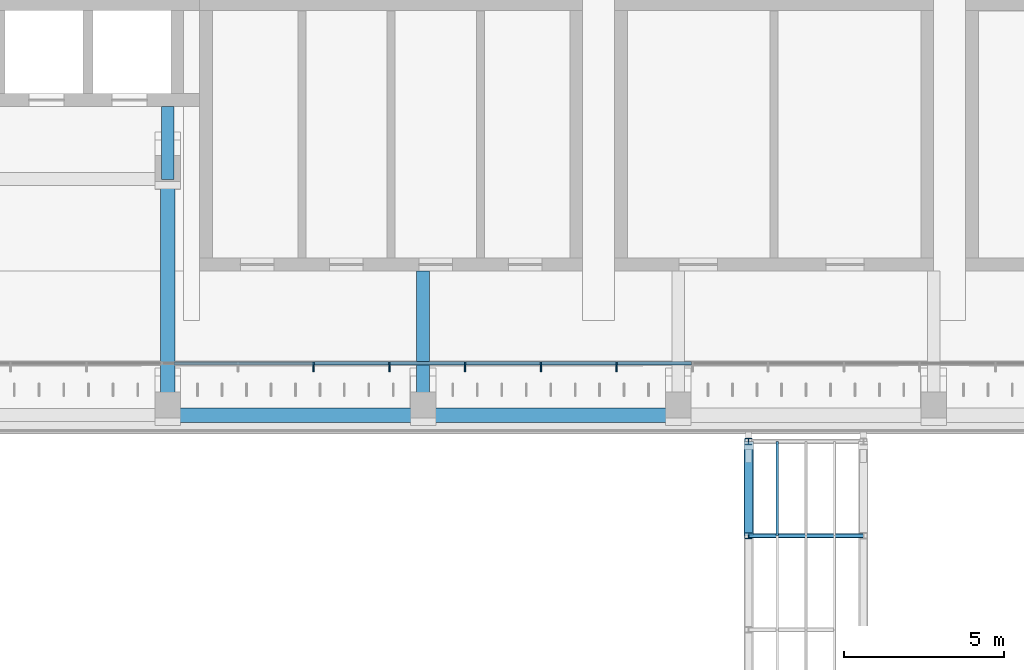
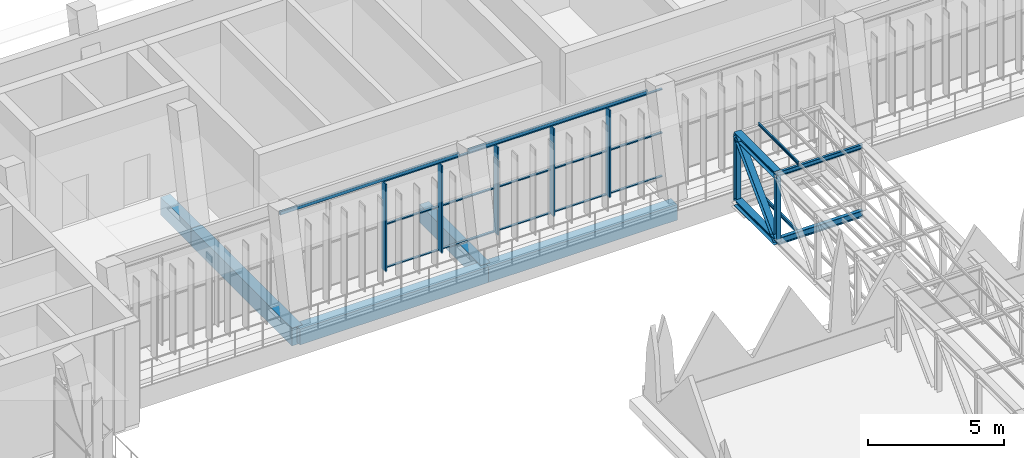
# One storey, part 72 of 141: 27 members, 9 beams, 1 element without a shape of its own.
"""IFC4 building model written with IfcOpenShell, lengths in metres."""

import ifcopenshell
import ifcopenshell.guid

model = None  # the IFC model being written
_history = None  # IfcOwnerHistory: only IFC2X3 demands one
_inside = {}  # id of a spatial element -> (the spatial element, [elements in it])
_under = {}  # id of a project, library or spatial element -> (it, [spatial elements below it])
_declared = {}  # id of a project -> (the project, [libraries it declares])
_typed = {}  # id of a type object -> (the type object, [elements of that type])
_made_of = {}  # id of a material, layer set ... -> (it, [elements and type objects made of it])


def new_model(schema):
    """Start an empty IFC model of exactly this schema.

    Asked for "IFC4X3", IfcOpenShell would pick the latest addendum, in which some entities
    have other attributes; the version numbers below select the first issue.
    IFC2X3 requires an IfcOwnerHistory on every rooted entity: one is made here for all.
    """
    global model, _history
    if schema == "IFC4X3":
        model = ifcopenshell.file(schema_version=(4, 3, 0, 0))
    else:
        model = ifcopenshell.file(schema=schema)
    _inside.clear()
    _under.clear()
    _declared.clear()
    _typed.clear()
    _made_of.clear()
    _history = None
    if model.schema == "IFC2X3":
        org = make("IfcOrganization", Name="unknown")
        user = make(
            "IfcPersonAndOrganization",
            ThePerson=make("IfcPerson", FamilyName="unknown"),
            TheOrganization=org,
        )
        app = make(
            "IfcApplication",
            ApplicationDeveloper=org,
            Version="unknown",
            ApplicationFullName="unknown",
            ApplicationIdentifier="unknown",
        )
        _history = make(
            "IfcOwnerHistory",
            OwningUser=user,
            OwningApplication=app,
            ChangeAction="ADDED",
            CreationDate=0,
        )
    return model


def make(cls, **values):
    """One entity of the class cls with the attributes given. An attribute that is None is left unset."""
    return model.create_entity(
        cls, **{name: value for name, value in values.items() if value is not None}
    )


def rooted(cls, **values):
    """An entity with a GlobalId (a new one), such as an element, a storey or a relation."""
    return make(cls, GlobalId=ifcopenshell.guid.new(), OwnerHistory=_history, **values)


def si_unit(unit_type, name, prefix=None):
    """IfcSIUnit, for example si_unit("LENGTHUNIT", "METRE", prefix="MILLI")."""
    return make("IfcSIUnit", UnitType=unit_type, Prefix=prefix, Name=name)


def assignment(units):
    """IfcUnitAssignment: the units of a project."""
    return None if units is None else make("IfcUnitAssignment", Units=units)


def point(xyz):
    """IfcCartesianPoint."""
    return None if xyz is None else make("IfcCartesianPoint", Coordinates=xyz)


def direction(xyz):
    """IfcDirection."""
    return None if xyz is None else make("IfcDirection", DirectionRatios=xyz)


def frame(location, z_axis=None, x_axis=None):
    """IfcAxis2Placement3D, a coordinate frame: its origin and axes. An axis left out is left unset."""
    return make(
        "IfcAxis2Placement3D",
        Location=point(location),
        Axis=direction(z_axis),
        RefDirection=direction(x_axis),
    )


def frame_2d(location, x_axis=None):
    """IfcAxis2Placement2D, a coordinate frame in the plane: its origin and x axis."""
    return make(
        "IfcAxis2Placement2D", Location=point(location), RefDirection=direction(x_axis)
    )


def origin():
    """The frame at (0, 0, 0) with its axes left unset."""
    return frame((0.0, 0.0, 0.0))


def origin_2d():
    """The frame at (0, 0) in the plane with its x axis left unset."""
    return frame_2d((0.0, 0.0))


def place(relative_to, where):
    """IfcLocalPlacement: puts the frame where relative to a parent placement (None: the world)."""
    return make(
        "IfcLocalPlacement", PlacementRelTo=relative_to, RelativePlacement=where
    )


def context(
    kind, dimensions, precision=None, world=None, true_north=None, identifier=None
):
    """IfcGeometricRepresentationContext, for example the 3D "Model" context."""
    return make(
        "IfcGeometricRepresentationContext",
        ContextIdentifier=identifier,
        ContextType=kind,
        CoordinateSpaceDimension=dimensions,
        Precision=precision,
        WorldCoordinateSystem=world,
        TrueNorth=true_north,
    )


def subcontext(parent, identifier, kind, view, scale=None):
    """IfcGeometricRepresentationSubContext, for example "Body" below "Model"."""
    return make(
        "IfcGeometricRepresentationSubContext",
        ContextIdentifier=identifier,
        ContextType=kind,
        ParentContext=parent,
        TargetScale=scale,
        TargetView=view,
    )


def project(units=None, contexts=None):
    """IfcProject with its units and contexts."""
    return rooted(
        "IfcProject",
        Name="project",
        RepresentationContexts=contexts,
        UnitsInContext=assignment(units),
    )


def spatial(cls, under=None, at=None, **own):
    """A site, building, storey or space (cls), placed at a placement, below another one or the project."""
    s = rooted(cls, ObjectPlacement=at, **own)
    if under is not None:
        _under.setdefault(under.id(), (under, []))[1].append(s)
    return s


def profile(cls, at=None, kind="AREA", **sizes):
    """A parametric profile (cls). Its sizes go by their IFC names, for example OverallWidth=200.0."""
    return make(cls, ProfileType=kind, Position=at, **sizes)


def rectangle(**sizes):
    """IfcRectangleProfileDef."""
    return profile("IfcRectangleProfileDef", **sizes)


def hollow_rectangle(**sizes):
    """IfcRectangleHollowProfileDef."""
    return profile("IfcRectangleHollowProfileDef", **sizes)


def i_section(**sizes):
    """IfcIShapeProfileDef."""
    return profile("IfcIShapeProfileDef", **sizes)


def extrude(swept, where, along, depth):
    """IfcExtrudedAreaSolid: the profile swept, set in the frame where, extruded along a direction by depth."""
    return make(
        "IfcExtrudedAreaSolid",
        SweptArea=swept,
        Position=where,
        ExtrudedDirection=direction(along),
        Depth=depth,
    )


def shape(context_of_items, identifier, shape_type, items):
    """IfcShapeRepresentation: the items that make up one representation, for example the "Body"."""
    return make(
        "IfcShapeRepresentation",
        ContextOfItems=context_of_items,
        RepresentationIdentifier=identifier,
        RepresentationType=shape_type,
        Items=items,
    )


def material(Name=None, Category=None):
    """IfcMaterial."""
    return make("IfcMaterial", Name=Name, Category=Category)


def material_profile(
    of_material, cross_section, Name=None, Category=None, Priority=None
):
    """IfcMaterialProfile: a cross section and its material."""
    return make(
        "IfcMaterialProfile",
        Name=Name,
        Material=of_material,
        Profile=cross_section,
        Priority=Priority,
        Category=Category,
    )


def profile_set(profiles, Name=None, composite=None):
    """IfcMaterialProfileSet."""
    return make(
        "IfcMaterialProfileSet",
        Name=Name,
        MaterialProfiles=profiles,
        CompositeProfile=composite,
    )


def made_of(thing, what):
    """Note that an element or type object is made of a material, layer set ...; save() writes the relation."""
    if what is not None:
        _made_of.setdefault(what.id(), (what, []))[1].append(thing)
    return thing


def type_object(cls, material=None, **own):
    """A type object (cls), such as IfcWallType, which elements share."""
    return made_of(rooted(cls, **own), material)


def element(
    cls,
    number,
    at=None,
    inside=None,
    cuts=None,
    type_object=None,
    material=None,
    context=None,
    identifier="Body",
    shape_type=None,
    held_by="IfcProductDefinitionShape",
    body=None,
    shapes=None,
    **own,
):
    """One element of the class cls, such as IfcWall. Its Tag is "e" and its number.

    at: its placement. inside: the storey or other place that contains it. cuts: it is an
    opening in that element (IfcRelVoidsElement). A single representation is given by context,
    identifier, shape_type and body (its items); several are given by shapes. held_by: the class
    of the entity that holds the representations. save() writes the other relations.
    """
    e = rooted(cls, Tag="e%d" % number, ObjectPlacement=at, **own)
    if body is not None:
        shapes = [shape(context, identifier, shape_type, body)]
    if shapes is not None:
        e.Representation = make(held_by, Representations=shapes)
    if inside is not None:
        _inside.setdefault(inside.id(), (inside, []))[1].append(e)
    if cuts is not None:
        rooted(
            "IfcRelVoidsElement", RelatingBuildingElement=cuts, RelatedOpeningElement=e
        )
    if type_object is not None:
        _typed.setdefault(type_object.id(), (type_object, []))[1].append(e)
    return made_of(e, material)


def aggregate(whole, parts):
    """IfcRelAggregates: a whole, such as a stair, and the parts it consists of."""
    return rooted("IfcRelAggregates", RelatingObject=whole, RelatedObjects=parts)


def save(model, path):
    """Write the relations noted so far, then the file.

    IfcRelAggregates (storeys below a building ...), IfcRelContainedInSpatialStructure (elements
    in a storey), IfcRelDefinesByType, IfcRelAssociatesMaterial and IfcRelDeclares: one each for
    every whole, place, type object, material and project.
    """
    for whole, parts in _under.values():
        aggregate(whole, parts)
    for where, things in _inside.values():
        rooted(
            "IfcRelContainedInSpatialStructure",
            RelatedElements=things,
            RelatingStructure=where,
        )
    for kind, things in _typed.values():
        rooted("IfcRelDefinesByType", RelatedObjects=things, RelatingType=kind)
    for what, things in _made_of.values():
        rooted("IfcRelAssociatesMaterial", RelatedObjects=things, RelatingMaterial=what)
    for by, libraries in _declared.values():
        rooted("IfcRelDeclares", RelatingContext=by, RelatedDefinitions=libraries)
    model.write(path)


model = new_model("IFC4")

# Units and contexts
model_context = context("Model", 3, precision=1e-05, world=origin(), true_north=direction((0.0, 1.0)))
body_context = subcontext(model_context, "Body", "Model", "MODEL_VIEW")
ifc_project = project(units=[si_unit("LENGTHUNIT", "METRE"), si_unit("AREAUNIT", "SQUARE_METRE"), si_unit("VOLUMEUNIT", "CUBIC_METRE"), si_unit("PLANEANGLEUNIT", "RADIAN"), si_unit("MASSUNIT", "GRAM", prefix="KILO")], contexts=[model_context])

# Site, building, storey
site_placement = place(None, origin())
site = spatial("IfcSite", under=ifc_project, at=site_placement, CompositionType="ELEMENT")
building_placement = place(site_placement, origin())
building = spatial("IfcBuilding", under=site, at=building_placement, Name="Lantern Court Media Centre", CompositionType="ELEMENT")
storey_placement = place(building_placement, frame((0.0, 0.0, 9.60009765625)))
storey = spatial("IfcBuildingStorey", under=building, at=storey_placement, Name="L02", CompositionType="ELEMENT", Elevation=9.60009765625)

# Members
ifc_material_1 = material(Name="Steel S355J2 (EN 10025-2)", Category="steel")
ifc_material_profile_1 = material_profile(ifc_material_1, i_section(OverallWidth=0.300048828125, OverallDepth=0.2900390625, WebThickness=0.008544921875, FlangeThickness=0.013916015625, FilletRadius=0.027099609375, at=origin_2d()), Name="HEA 300")
ifc_profile_set_1 = profile_set([ifc_material_profile_1], Name="Steel S355J2 (EN 10025-2)")
member_type_1 = type_object("IfcMemberType", Name="Court bridge chord HEA 300", PredefinedType="CHORD", material=ifc_profile_set_1)
for number, where, z_axis, x_axis, name in (
    (1, (50.199951171875, 94.75, -0.25), (0.0, 1.0, 0.0), (-1.0, 0.0, 0.0), "Court bridge truss 1 bottom chord 12"),
    (2, (50.199951171875, 94.75, 2.75), (0.0, 1.0, 0.0), (-1.0, 0.0, 0.0), "Court bridge truss 1 top chord 12"),
):
    element("IfcMember", number, at=place(storey_placement, frame(where, z_axis=z_axis, x_axis=x_axis)), inside=storey, type_object=member_type_1, Name=name, PredefinedType="CHORD", context=body_context, shape_type="SweptSolid", body=[
        extrude(i_section(OverallWidth=0.300048828125, OverallDepth=0.2900390625, WebThickness=0.008544921875, FlangeThickness=0.013916015625, FilletRadius=0.027099609375, at=origin_2d()), origin(), (0.0, 0.0, 1.0), 2.949951171875),
    ])
ifc_material_profile_2 = material_profile(ifc_material_1, i_section(OverallWidth=0.260009765625, OverallDepth=0.25, WebThickness=0.007568359375, FlangeThickness=0.012451171875, FilletRadius=0.02392578125, at=origin_2d()), Name="HEA 260")
ifc_profile_set_2 = profile_set([ifc_material_profile_2], Name="Steel S355J2 (EN 10025-2)")
member_type_2 = type_object("IfcMemberType", Name="Court bridge end diagonal HEA 260", PredefinedType="BRACE", material=ifc_profile_set_2)
member_1_placement = place(storey_placement, frame((50.199951171875, 94.75, -0.25), z_axis=(0.0, 0.701134051624, 0.713029481615), x_axis=(-1.0, 0.0, 0.0)))
element("IfcMember", 3, at=member_1_placement, inside=storey, type_object=member_type_2, Name="Court bridge truss 1 diagonal 12", PredefinedType="BRACE", context=body_context, shape_type="SweptSolid", body=[
    extrude(i_section(OverallWidth=0.260009765625, OverallDepth=0.25, WebThickness=0.007568359375, FlangeThickness=0.012451171875, FilletRadius=0.02392578125, at=origin_2d()), origin(), (0.0, 0.0, 1.0), 4.20751953125),
])

# Beams
ifc_material_profile_3 = material_profile(ifc_material_1, i_section(OverallWidth=0.14990234375, OverallDepth=0.300048828125, WebThickness=0.007080078125, FlangeThickness=0.0107421875, FilletRadius=0.014892578125, at=origin_2d()), Name="IPE 300")
ifc_profile_set_3 = profile_set([ifc_material_profile_3], Name="Steel S355J2 (EN 10025-2)")
beam_type_1 = type_object("IfcBeamType", Name="Court bridge floor beam IPE 300", PredefinedType="BEAM", material=ifc_profile_set_3)
beam_1_placement = place(storey_placement, frame((50.199951171875, 94.75, -0.25), z_axis=(1.0, 0.0, 0.0), x_axis=(0.0, 1.0, 0.0)))
element("IfcBeam", 4, at=beam_1_placement, inside=storey, type_object=beam_type_1, Name="Court bridge floor beam 12", PredefinedType="BEAM", context=body_context, shape_type="SweptSolid", body=[
    extrude(i_section(OverallWidth=0.14990234375, OverallDepth=0.300048828125, WebThickness=0.007080078125, FlangeThickness=0.0107421875, FilletRadius=0.014892578125, at=origin_2d()), origin(), (0.0, 0.0, 1.0), 3.60009765625),
])
ifc_material_profile_4 = material_profile(ifc_material_1, i_section(OverallWidth=0.08203125, OverallDepth=0.159912109375, WebThickness=0.0048828125, FlangeThickness=0.00732421875, FilletRadius=0.009033203125, at=origin_2d()), Name="IPE 160")
ifc_profile_set_4 = profile_set([ifc_material_profile_4], Name="Steel S355J2 (EN 10025-2)")
beam_type_2 = type_object("IfcBeamType", Name="Court bridge joist IPE 160", PredefinedType="JOIST", material=ifc_profile_set_4)
beam_2_placement = place(storey_placement, frame((51.10009765625, 94.824951171875, -0.18017578125), z_axis=(0.0, 1.0, 0.0), x_axis=(-1.0, 0.0, 0.0)))
element("IfcBeam", 5, at=beam_2_placement, inside=storey, type_object=beam_type_2, Name="Court bridge joist 1-12", PredefinedType="JOIST", context=body_context, shape_type="SweptSolid", body=[
    extrude(i_section(OverallWidth=0.08203125, OverallDepth=0.159912109375, WebThickness=0.0048828125, FlangeThickness=0.00732421875, FilletRadius=0.009033203125, at=origin_2d()), origin(), (0.0, 0.0, 1.0), 2.800048828125),
])

# Members
ifc_material_profile_5 = material_profile(ifc_material_1, i_section(OverallWidth=0.06396484375, OverallDepth=0.1201171875, WebThickness=0.00439453125, FlangeThickness=0.00634765625, FilletRadius=0.007080078125, at=origin_2d()), Name="IPE 120")
ifc_profile_set_5 = profile_set([ifc_material_profile_5], Name="Steel S355J2 (EN 10025-2)")
member_type_3 = type_object("IfcMemberType", Name="Court bridge purlin IPE 120", PredefinedType="PURLIN", material=ifc_profile_set_5)
member_2_placement = place(storey_placement, frame((51.10009765625, 94.75, 2.909912109375), z_axis=(0.0, 1.0, 0.0), x_axis=(-1.0, 0.0, 0.0)))
element("IfcMember", 6, at=member_2_placement, inside=storey, type_object=member_type_3, Name="Court bridge purlin 1-12", PredefinedType="PURLIN", context=body_context, shape_type="SweptSolid", body=[
    extrude(i_section(OverallWidth=0.06396484375, OverallDepth=0.1201171875, WebThickness=0.00439453125, FlangeThickness=0.00634765625, FilletRadius=0.007080078125, at=origin_2d()), origin(), (0.0, 0.0, 1.0), 2.949951171875),
])
ifc_material_profile_6 = material_profile(ifc_material_1, i_section(OverallWidth=0.10009765625, OverallDepth=0.199951171875, WebThickness=0.005615234375, FlangeThickness=0.008544921875, FilletRadius=0.011962890625, at=origin_2d()), Name="IPE 200")
ifc_profile_set_6 = profile_set([ifc_material_profile_6], Name="Steel S355J2 (EN 10025-2)")
member_type_4 = type_object("IfcMemberType", Name="Court bridge roof strut IPE 200", PredefinedType="STRUT", material=ifc_profile_set_6)
member_3_placement = place(storey_placement, frame((50.199951171875, 94.75, 2.75), z_axis=(1.0, 0.0, 0.0), x_axis=(0.0, 1.0, 0.0)))
element("IfcMember", 7, at=member_3_placement, inside=storey, type_object=member_type_4, Name="Court bridge roof strut 12", PredefinedType="STRUT", context=body_context, shape_type="SweptSolid", body=[
    extrude(i_section(OverallWidth=0.10009765625, OverallDepth=0.199951171875, WebThickness=0.005615234375, FlangeThickness=0.008544921875, FilletRadius=0.011962890625, at=origin_2d()), origin(), (0.0, 0.0, 1.0), 3.60009765625),
])
ifc_material_profile_7 = material_profile(ifc_material_1, i_section(OverallWidth=0.199951171875, OverallDepth=0.18994140625, WebThickness=0.006591796875, FlangeThickness=0.010009765625, FilletRadius=0.01806640625, at=origin_2d()), Name="HEA 200")
ifc_profile_set_7 = profile_set([ifc_material_profile_7], Name="Steel S355J2 (EN 10025-2)")
member_type_5 = type_object("IfcMemberType", Name="Court bridge vertical HEA 200", PredefinedType="POST", material=ifc_profile_set_7)
for number, where, z_axis, x_axis, name in (
    (8, (50.199951171875, 94.75, -0.25), (0.0, 0.0, 1.0), (1.0, 0.0, 0.0), "Court bridge truss 1 vertical 12"),
    (9, (50.199951171875, 97.699951171875, -0.25), (0.0, 0.0, 1.0), (1.0, 0.0, 0.0), "Court bridge truss 1 vertical 13"),
):
    element("IfcMember", number, at=place(storey_placement, frame(where, z_axis=z_axis, x_axis=x_axis)), inside=storey, type_object=member_type_5, Name=name, PredefinedType="POST", context=body_context, shape_type="SweptSolid", body=[
        extrude(i_section(OverallWidth=0.199951171875, OverallDepth=0.18994140625, WebThickness=0.006591796875, FlangeThickness=0.010009765625, FilletRadius=0.01806640625, at=origin_2d()), origin(), (0.0, 0.0, 1.0), 3.0),
    ])

# Curtain wall, members
ifc_material_2 = material(Name="Curtain wall bay 2400")
curtain_wall_type = type_object("IfcCurtainWallType", Name="Curtain wall bay 2400", PredefinedType="NOTDEFINED", material=ifc_material_2)
curtain_wall_placement = place(storey_placement, origin())
curtain_wall = element("IfcCurtainWall", 10, at=curtain_wall_placement, inside=storey, type_object=curtain_wall_type, Name="Curtain wall N inner L02", PredefinedType="NOTDEFINED")
ifc_material_3 = material(Name="Anodised aluminium", Category="aluminium")
ifc_material_profile_8 = material_profile(ifc_material_3, rectangle(XDim=0.300048828125, YDim=0.050048828125, at=origin_2d()), Name="AL 50x300")
ifc_profile_set_8 = profile_set([ifc_material_profile_8], Name="Anodised aluminium")
member_type_6 = type_object("IfcMemberType", Name="Curtain wall mullion 50x300", PredefinedType="MULLION", material=ifc_profile_set_8)
member_4_placement = place(storey_placement, frame((36.569580078125, 100.030029296875, 0.0), z_axis=(0.0, 0.0, 1.0), x_axis=(0.0, 1.0, 0.0)))
member_4 = element("IfcMember", 11, at=member_4_placement, type_object=member_type_6, Name="CW2 mullion 6", PredefinedType="MULLION", context=body_context, shape_type="SweptSolid", body=[
    extrude(rectangle(XDim=0.300048828125, YDim=0.050048828125, at=origin_2d()), origin(), (0.0, 0.0, 1.0), 3.949951171875),
])
member_5_placement = place(storey_placement, frame((38.943359375, 100.030029296875, 0.0), z_axis=(0.0, 0.0, 1.0), x_axis=(0.0, 1.0, 0.0)))
member_5 = element("IfcMember", 12, at=member_5_placement, type_object=member_type_6, Name="CW2 mullion 7", PredefinedType="MULLION", context=body_context, shape_type="SweptSolid", body=[
    extrude(rectangle(XDim=0.300048828125, YDim=0.050048828125, at=origin_2d()), origin(), (0.0, 0.0, 1.0), 3.949951171875),
])
member_6_placement = place(storey_placement, frame((41.3173828125, 100.030029296875, 0.0), z_axis=(0.0, 0.0, 1.0), x_axis=(0.0, 1.0, 0.0)))
member_6 = element("IfcMember", 13, at=member_6_placement, type_object=member_type_6, Name="CW2 mullion 8", PredefinedType="MULLION", context=body_context, shape_type="SweptSolid", body=[
    extrude(rectangle(XDim=0.300048828125, YDim=0.050048828125, at=origin_2d()), origin(), (0.0, 0.0, 1.0), 3.949951171875),
])
member_7_placement = place(storey_placement, frame((43.69140625, 100.030029296875, 0.0), z_axis=(0.0, 0.0, 1.0), x_axis=(0.0, 1.0, 0.0)))
member_7 = element("IfcMember", 14, at=member_7_placement, type_object=member_type_6, Name="CW2 mullion 9", PredefinedType="MULLION", context=body_context, shape_type="SweptSolid", body=[
    extrude(rectangle(XDim=0.300048828125, YDim=0.050048828125, at=origin_2d()), origin(), (0.0, 0.0, 1.0), 3.949951171875),
])
member_8_placement = place(storey_placement, frame((46.065185546875, 100.030029296875, 0.0), z_axis=(0.0, 0.0, 1.0), x_axis=(0.0, 1.0, 0.0)))
member_8 = element("IfcMember", 15, at=member_8_placement, type_object=member_type_6, Name="CW2 mullion 10", PredefinedType="MULLION", context=body_context, shape_type="SweptSolid", body=[
    extrude(rectangle(XDim=0.300048828125, YDim=0.050048828125, at=origin_2d()), origin(), (0.0, 0.0, 1.0), 3.949951171875),
])
ifc_material_profile_9 = material_profile(ifc_material_3, rectangle(XDim=0.10009765625, YDim=0.050048828125, at=origin_2d()), Name="AL 50x100")
ifc_profile_set_9 = profile_set([ifc_material_profile_9], Name="Anodised aluminium")
member_type_7 = type_object("IfcMemberType", Name="Curtain wall transom 100x50", PredefinedType="USERDEFINED", material=ifc_profile_set_9)
member_9_placement = place(storey_placement, frame((36.594482421875, 100.14990234375, 0.02490234375), z_axis=(1.0, 0.0, 0.0), x_axis=(0.0, 1.0, 0.0)))
member_9 = element("IfcMember", 16, at=member_9_placement, type_object=member_type_7, Name="CW2 transom 6.1", ObjectType="TRANSOM", PredefinedType="USERDEFINED", context=body_context, shape_type="SweptSolid", body=[
    extrude(rectangle(XDim=0.10009765625, YDim=0.050048828125, at=origin_2d()), origin(), (0.0, 0.0, 1.0), 2.323974609375),
])
member_10_placement = place(storey_placement, frame((36.594482421875, 100.14990234375, 1.974853515625), z_axis=(1.0, 0.0, 0.0), x_axis=(0.0, 1.0, 0.0)))
member_10 = element("IfcMember", 17, at=member_10_placement, type_object=member_type_7, Name="CW2 transom 6.2", ObjectType="TRANSOM", PredefinedType="USERDEFINED", context=body_context, shape_type="SweptSolid", body=[
    extrude(rectangle(XDim=0.10009765625, YDim=0.050048828125, at=origin_2d()), origin(), (0.0, 0.0, 1.0), 2.323974609375),
])
member_11_placement = place(storey_placement, frame((36.594482421875, 100.14990234375, 3.9248046875), z_axis=(1.0, 0.0, 0.0), x_axis=(0.0, 1.0, 0.0)))
member_11 = element("IfcMember", 18, at=member_11_placement, type_object=member_type_7, Name="CW2 transom 6.3", ObjectType="TRANSOM", PredefinedType="USERDEFINED", context=body_context, shape_type="SweptSolid", body=[
    extrude(rectangle(XDim=0.10009765625, YDim=0.050048828125, at=origin_2d()), origin(), (0.0, 0.0, 1.0), 2.323974609375),
])
member_12_placement = place(storey_placement, frame((38.968505859375, 100.14990234375, 0.02490234375), z_axis=(1.0, 0.0, 0.0), x_axis=(0.0, 1.0, 0.0)))
member_12 = element("IfcMember", 19, at=member_12_placement, type_object=member_type_7, Name="CW2 transom 7.1", ObjectType="TRANSOM", PredefinedType="USERDEFINED", context=body_context, shape_type="SweptSolid", body=[
    extrude(rectangle(XDim=0.10009765625, YDim=0.050048828125, at=origin_2d()), origin(), (0.0, 0.0, 1.0), 2.323974609375),
])
member_13_placement = place(storey_placement, frame((38.968505859375, 100.14990234375, 1.974853515625), z_axis=(1.0, 0.0, 0.0), x_axis=(0.0, 1.0, 0.0)))
member_13 = element("IfcMember", 20, at=member_13_placement, type_object=member_type_7, Name="CW2 transom 7.2", ObjectType="TRANSOM", PredefinedType="USERDEFINED", context=body_context, shape_type="SweptSolid", body=[
    extrude(rectangle(XDim=0.10009765625, YDim=0.050048828125, at=origin_2d()), origin(), (0.0, 0.0, 1.0), 2.323974609375),
])
member_14_placement = place(storey_placement, frame((38.968505859375, 100.14990234375, 3.9248046875), z_axis=(1.0, 0.0, 0.0), x_axis=(0.0, 1.0, 0.0)))
member_14 = element("IfcMember", 21, at=member_14_placement, type_object=member_type_7, Name="CW2 transom 7.3", ObjectType="TRANSOM", PredefinedType="USERDEFINED", context=body_context, shape_type="SweptSolid", body=[
    extrude(rectangle(XDim=0.10009765625, YDim=0.050048828125, at=origin_2d()), origin(), (0.0, 0.0, 1.0), 2.323974609375),
])
member_15_placement = place(storey_placement, frame((41.34228515625, 100.14990234375, 0.02490234375), z_axis=(1.0, 0.0, 0.0), x_axis=(0.0, 1.0, 0.0)))
member_15 = element("IfcMember", 22, at=member_15_placement, type_object=member_type_7, Name="CW2 transom 8.1", ObjectType="TRANSOM", PredefinedType="USERDEFINED", context=body_context, shape_type="SweptSolid", body=[
    extrude(rectangle(XDim=0.10009765625, YDim=0.050048828125, at=origin_2d()), origin(), (0.0, 0.0, 1.0), 2.323974609375),
])
member_16_placement = place(storey_placement, frame((41.34228515625, 100.14990234375, 1.974853515625), z_axis=(1.0, 0.0, 0.0), x_axis=(0.0, 1.0, 0.0)))
member_16 = element("IfcMember", 23, at=member_16_placement, type_object=member_type_7, Name="CW2 transom 8.2", ObjectType="TRANSOM", PredefinedType="USERDEFINED", context=body_context, shape_type="SweptSolid", body=[
    extrude(rectangle(XDim=0.10009765625, YDim=0.050048828125, at=origin_2d()), origin(), (0.0, 0.0, 1.0), 2.323974609375),
])
member_17_placement = place(storey_placement, frame((41.34228515625, 100.14990234375, 3.9248046875), z_axis=(1.0, 0.0, 0.0), x_axis=(0.0, 1.0, 0.0)))
member_17 = element("IfcMember", 24, at=member_17_placement, type_object=member_type_7, Name="CW2 transom 8.3", ObjectType="TRANSOM", PredefinedType="USERDEFINED", context=body_context, shape_type="SweptSolid", body=[
    extrude(rectangle(XDim=0.10009765625, YDim=0.050048828125, at=origin_2d()), origin(), (0.0, 0.0, 1.0), 2.323974609375),
])
member_18_placement = place(storey_placement, frame((43.71630859375, 100.14990234375, 0.02490234375), z_axis=(1.0, 0.0, 0.0), x_axis=(0.0, 1.0, 0.0)))
member_18 = element("IfcMember", 25, at=member_18_placement, type_object=member_type_7, Name="CW2 transom 9.1", ObjectType="TRANSOM", PredefinedType="USERDEFINED", context=body_context, shape_type="SweptSolid", body=[
    extrude(rectangle(XDim=0.10009765625, YDim=0.050048828125, at=origin_2d()), origin(), (0.0, 0.0, 1.0), 2.323974609375),
])
member_19_placement = place(storey_placement, frame((43.71630859375, 100.14990234375, 1.974853515625), z_axis=(1.0, 0.0, 0.0), x_axis=(0.0, 1.0, 0.0)))
member_19 = element("IfcMember", 26, at=member_19_placement, type_object=member_type_7, Name="CW2 transom 9.2", ObjectType="TRANSOM", PredefinedType="USERDEFINED", context=body_context, shape_type="SweptSolid", body=[
    extrude(rectangle(XDim=0.10009765625, YDim=0.050048828125, at=origin_2d()), origin(), (0.0, 0.0, 1.0), 2.323974609375),
])
member_20_placement = place(storey_placement, frame((43.71630859375, 100.14990234375, 3.9248046875), z_axis=(1.0, 0.0, 0.0), x_axis=(0.0, 1.0, 0.0)))
member_20 = element("IfcMember", 27, at=member_20_placement, type_object=member_type_7, Name="CW2 transom 9.3", ObjectType="TRANSOM", PredefinedType="USERDEFINED", context=body_context, shape_type="SweptSolid", body=[
    extrude(rectangle(XDim=0.10009765625, YDim=0.050048828125, at=origin_2d()), origin(), (0.0, 0.0, 1.0), 2.323974609375),
])
member_21_placement = place(storey_placement, frame((46.09033203125, 100.14990234375, 0.02490234375), z_axis=(1.0, 0.0, 0.0), x_axis=(0.0, 1.0, 0.0)))
member_21 = element("IfcMember", 28, at=member_21_placement, type_object=member_type_7, Name="CW2 transom 10.1", ObjectType="TRANSOM", PredefinedType="USERDEFINED", context=body_context, shape_type="SweptSolid", body=[
    extrude(rectangle(XDim=0.10009765625, YDim=0.050048828125, at=origin_2d()), origin(), (0.0, 0.0, 1.0), 2.32373046875),
])
member_22_placement = place(storey_placement, frame((46.09033203125, 100.14990234375, 1.974853515625), z_axis=(1.0, 0.0, 0.0), x_axis=(0.0, 1.0, 0.0)))
member_22 = element("IfcMember", 29, at=member_22_placement, type_object=member_type_7, Name="CW2 transom 10.2", ObjectType="TRANSOM", PredefinedType="USERDEFINED", context=body_context, shape_type="SweptSolid", body=[
    extrude(rectangle(XDim=0.10009765625, YDim=0.050048828125, at=origin_2d()), origin(), (0.0, 0.0, 1.0), 2.32373046875),
])
member_23_placement = place(storey_placement, frame((46.09033203125, 100.14990234375, 3.9248046875), z_axis=(1.0, 0.0, 0.0), x_axis=(0.0, 1.0, 0.0)))
member_23 = element("IfcMember", 30, at=member_23_placement, type_object=member_type_7, Name="CW2 transom 10.3", ObjectType="TRANSOM", PredefinedType="USERDEFINED", context=body_context, shape_type="SweptSolid", body=[
    extrude(rectangle(XDim=0.10009765625, YDim=0.050048828125, at=origin_2d()), origin(), (0.0, 0.0, 1.0), 2.32373046875),
])
aggregate(curtain_wall, [member_4, member_5, member_6, member_7, member_8, member_9, member_10, member_11, member_12, member_13, member_14, member_15, member_16, member_17, member_18, member_19, member_20, member_21, member_22, member_23])

# Beams
ifc_material_profile_10 = material_profile(ifc_material_1, hollow_rectangle(XDim=0.10009765625, YDim=0.14990234375, WallThickness=0.00634765625, InnerFilletRadius=0.00634765625, OuterFilletRadius=0.009521484375, at=origin_2d()), Name="Facade head lintel RHS 150x100x6.3")
ifc_profile_set_10 = profile_set([ifc_material_profile_10], Name="Steel S355J2 (EN 10025-2)")
beam_type_3 = type_object("IfcBeamType", Name="Facade head lintel RHS 150x100x6.3", PredefinedType="BEAM", material=ifc_profile_set_10)
for number, where, z_axis, x_axis, name in (
    (31, (32.199951171875, 100.14990234375, 4.02490234375), (1.0, 0.0, 0.0), (0.0, 1.0, 0.0), "Facade head lintel N L02"),
    (32, (40.199951171875, 100.14990234375, 4.02490234375), (1.0, 0.0, 0.0), (0.0, 1.0, 0.0), "Facade head lintel N L02"),
):
    element("IfcBeam", number, at=place(storey_placement, frame(where, z_axis=z_axis, x_axis=x_axis)), inside=storey, type_object=beam_type_3, Name=name, PredefinedType="BEAM", context=body_context, shape_type="SweptSolid", body=[
        extrude(hollow_rectangle(XDim=0.10009765625, YDim=0.14990234375, WallThickness=0.00634765625, InnerFilletRadius=0.00634765625, OuterFilletRadius=0.009521484375, at=origin_2d()), origin(), (0.0, 0.0, 1.0), 7.60009765625),
    ])
ifc_material_4 = material(Name="Concrete C35", Category="concrete")
ifc_material_profile_11 = material_profile(ifc_material_4, rectangle(XDim=0.39990234375, YDim=0.800048828125, at=origin_2d()), Name="RC 400x800")
ifc_profile_set_11 = profile_set([ifc_material_profile_11], Name="Concrete C35")
beam_type_4 = type_object("IfcBeamType", Name="RC BEAM 400x800", PredefinedType="BEAM", material=ifc_profile_set_11)
beam_3_placement = place(storey_placement, frame((32.0, 105.916748046875, -0.400146484375), z_axis=(0.0, 1.0, 0.0), x_axis=(-1.0, 0.0, 0.0)))
element("IfcBeam", 33, at=beam_3_placement, inside=storey, type_object=beam_type_4, Name="TB-N-L02-1-2", PredefinedType="BEAM", context=body_context, shape_type="SweptSolid", body=[
    extrude(rectangle(XDim=0.39990234375, YDim=0.800048828125, at=origin_2d()), origin(), (0.0, 0.0, 1.0), 2.283203125),
])
beam_4_placement = place(storey_placement, frame((40.0, 98.5166015625, -0.400146484375), z_axis=(0.0, 1.0, 0.0), x_axis=(-1.0, 0.0, 0.0)))
element("IfcBeam", 34, at=beam_4_placement, inside=storey, type_object=beam_type_4, Name="TB-N-L02-2-1", PredefinedType="BEAM", context=body_context, shape_type="SweptSolid", body=[
    extrude(rectangle(XDim=0.39990234375, YDim=0.800048828125, at=origin_2d()), origin(), (0.0, 0.0, 1.0), 4.533447265625),
])
ifc_material_profile_12 = material_profile(ifc_material_4, rectangle(XDim=0.449951171875, YDim=0.699951171875, at=origin_2d()), Name="RC 450x700")
ifc_profile_set_12 = profile_set([ifc_material_profile_12], Name="Concrete C35")
beam_type_5 = type_object("IfcBeamType", Name="RC BEAM 450x700", PredefinedType="BEAM", material=ifc_profile_set_12)
for number, where, z_axis, x_axis, name in (
    (35, (32.0, 98.527099609375, -0.35009765625), (1.0, 0.0, 0.0), (0.0, 1.0, 0.0), "LB-N-L02-0-1"),
    (36, (40.0, 98.527099609375, -0.35009765625), (1.0, 0.0, 0.0), (0.0, 1.0, 0.0), "LB-N-L02-0-2"),
):
    element("IfcBeam", number, at=place(storey_placement, frame(where, z_axis=z_axis, x_axis=x_axis)), inside=storey, type_object=beam_type_5, Name=name, PredefinedType="BEAM", context=body_context, shape_type="SweptSolid", body=[
        extrude(rectangle(XDim=0.449951171875, YDim=0.699951171875, at=origin_2d()), origin(), (0.0, 0.0, 1.0), 8.0),
    ])
ifc_material_profile_13 = material_profile(ifc_material_4, rectangle(XDim=0.449951171875, YDim=0.800048828125, at=origin_2d()), Name="RC 450x800")
ifc_profile_set_13 = profile_set([ifc_material_profile_13], Name="Concrete C35")
beam_type_6 = type_object("IfcBeamType", Name="RC BEAM 450x800", PredefinedType="BEAM", material=ifc_profile_set_13)
beam_5_placement = place(storey_placement, frame((32.0, 98.5166015625, -0.400146484375), z_axis=(0.0, 1.0, 0.0), x_axis=(-1.0, 0.0, 0.0)))
element("IfcBeam", 37, at=beam_5_placement, inside=storey, type_object=beam_type_6, Name="TB-N-L02-1-1", PredefinedType="BEAM", context=body_context, shape_type="SweptSolid", body=[
    extrude(rectangle(XDim=0.449951171875, YDim=0.800048828125, at=origin_2d()), origin(), (0.0, 0.0, 1.0), 7.400146484375),
])

save(model, "model.ifc")
